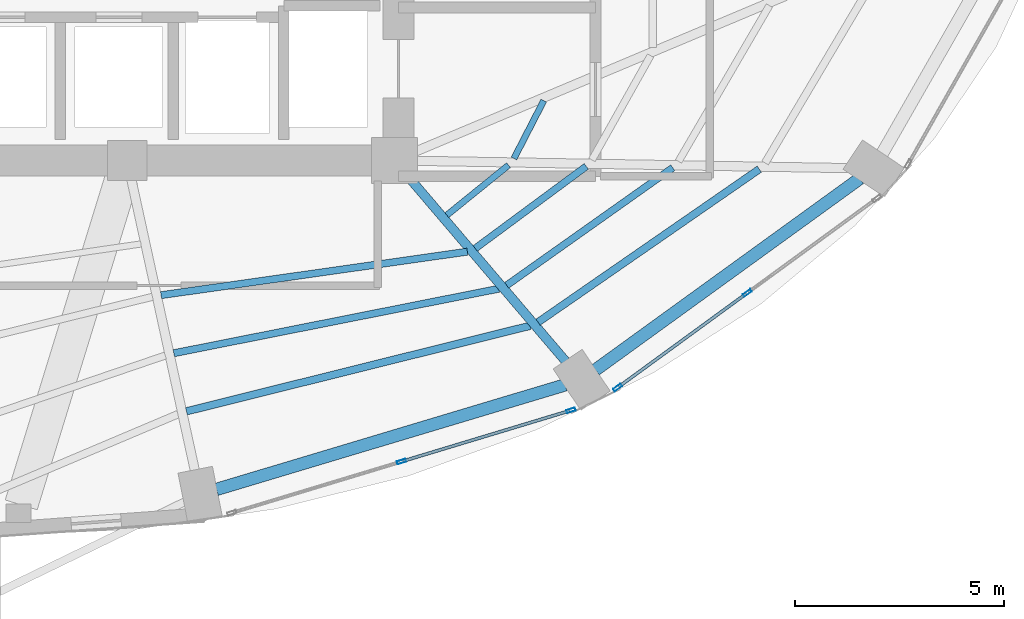
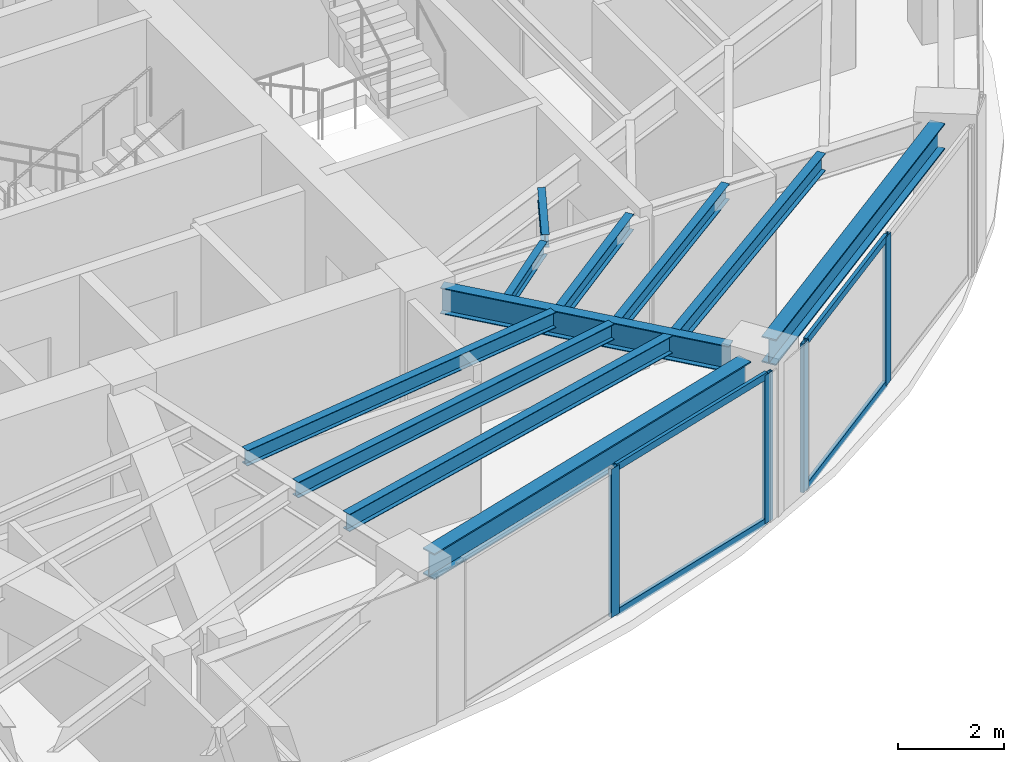
# One storey, part 10 of 23: 11 beams, 8 members, 2 elements without a shape of their own.
"""IFC4 building model written with IfcOpenShell, lengths in metres."""

from ifc_helpers import new_model, si_unit, direction, frame, origin, origin_2d, place, context, subcontext, project, spatial, hollow_rectangle, i_section, extrude, material, layer, layer_set, material_profile, profile_set, type_object, element, aggregate, save


model = new_model("IFC4")

# Units and contexts
model_context = context("Model", 3, precision=1e-05, world=origin(), true_north=direction((0.0, 1.0)))
body_context = subcontext(model_context, "Body", "Model", "MODEL_VIEW")
ifc_project = project(units=[si_unit("LENGTHUNIT", "METRE"), si_unit("AREAUNIT", "SQUARE_METRE"), si_unit("VOLUMEUNIT", "CUBIC_METRE"), si_unit("PLANEANGLEUNIT", "RADIAN"), si_unit("MASSUNIT", "GRAM", prefix="KILO")], contexts=[model_context])

# Site, building, storey
site_placement = place(None, origin())
site = spatial("IfcSite", under=ifc_project, at=site_placement, CompositionType="ELEMENT")
building_placement = place(site_placement, origin())
building = spatial("IfcBuilding", under=site, at=building_placement, Name="Lazwardi Medical Tower", CompositionType="ELEMENT")
storey_placement = place(building_placement, frame((0.0, 0.0, 92.68798828125)))
storey = spatial("IfcBuildingStorey", under=building, at=storey_placement, Name="L23", CompositionType="ELEMENT", Elevation=92.68798828125)

# Beams
ifc_material_1 = material(Name="Steel S355", Category="steel")
ifc_material_profile_1 = material_profile(ifc_material_1, i_section(OverallWidth=0.300048828125, OverallDepth=0.60009765625, WebThickness=0.015380859375, FlangeThickness=0.030029296875, at=origin_2d()), Name="HEB 600")
ifc_profile_set_1 = profile_set([ifc_material_profile_1], Name="Steel S355")
beam_type_1 = type_object("IfcBeamType", Name="BM-RB-Z2", PredefinedType="BEAM", material=ifc_profile_set_1)
beam_1_placement = place(storey_placement, frame((41.338134765625, 12.5205078125, 3.1279296875), z_axis=(0.957879438442, 0.287170648587, 0.0), x_axis=(-0.287170648587, 0.957879438442, 0.0)))
element("IfcBeam", 1, at=beam_1_placement, inside=storey, type_object=beam_type_1, Name="Ring beam RB-03 B01 L23", PredefinedType="BEAM", context=body_context, shape_type="SweptSolid", body=[
    extrude(i_section(OverallWidth=0.300048828125, OverallDepth=0.60009765625, WebThickness=0.015380859375, FlangeThickness=0.030029296875, at=origin_2d()), origin(), (0.0, 0.0, 1.0), 8.719970703125),
])
beam_2_placement = place(storey_placement, frame((50.415771484375, 15.3828125, 3.1279296875), z_axis=(0.810041907649, 0.586371987609, 0.0), x_axis=(-0.586371987609, 0.810041907649, 0.0)))
element("IfcBeam", 2, at=beam_2_placement, inside=storey, type_object=beam_type_1, Name="Ring beam RB-03 B02 L23", PredefinedType="BEAM", context=body_context, shape_type="SweptSolid", body=[
    extrude(i_section(OverallWidth=0.300048828125, OverallDepth=0.60009765625, WebThickness=0.015380859375, FlangeThickness=0.030029296875, at=origin_2d()), origin(), (0.0, 0.0, 1.0), 7.814208984375),
])
ifc_material_profile_2 = material_profile(ifc_material_1, i_section(OverallWidth=0.219970703125, OverallDepth=0.60009765625, WebThickness=0.011962890625, FlangeThickness=0.01904296875, at=origin_2d()), Name="IPE 600")
ifc_profile_set_2 = profile_set([ifc_material_profile_2], Name="Steel S355")
beam_type_2 = type_object("IfcBeamType", Name="BM-RG-W1", PredefinedType="BEAM", material=ifc_profile_set_2)
beam_3_placement = place(storey_placement, frame((49.707275390625, 15.583740234375, 3.1279296875), z_axis=(-0.648870567436, 0.760898801889, 0.0), x_axis=(-0.760898801889, -0.648870567436, 0.0)))
element("IfcBeam", 3, at=beam_3_placement, inside=storey, type_object=beam_type_2, Name="Radial girder RG-02 R02 L23", PredefinedType="BEAM", context=body_context, shape_type="SweptSolid", body=[
    extrude(i_section(OverallWidth=0.219970703125, OverallDepth=0.60009765625, WebThickness=0.011962890625, FlangeThickness=0.01904296875, at=origin_2d()), origin(), (0.0, 0.0, 1.0), 5.794677734375),
])
ifc_material_profile_3 = material_profile(ifc_material_1, i_section(OverallWidth=0.179931640625, OverallDepth=0.39990234375, WebThickness=0.008544921875, FlangeThickness=0.013427734375, at=origin_2d()), Name="IPE 400")
ifc_profile_set_3 = profile_set([ifc_material_profile_3], Name="Steel S355")
beam_type_3 = type_object("IfcBeamType", Name="BM-SJ-01", PredefinedType="JOIST", material=ifc_profile_set_3)
beam_4_placement = place(storey_placement, frame((40.618896484375, 14.390869140625, 3.22802734375), z_axis=(0.970400881943, 0.241499748081, 0.0), x_axis=(-0.241499748081, 0.970400881943, 0.0)))
element("IfcBeam", 4, at=beam_4_placement, inside=storey, type_object=beam_type_3, Name="Secondary joist SJ-01 R1 B01 L23", PredefinedType="JOIST", context=body_context, shape_type="SweptSolid", body=[
    extrude(i_section(OverallWidth=0.179931640625, OverallDepth=0.39990234375, WebThickness=0.008544921875, FlangeThickness=0.013427734375, at=origin_2d()), origin(), (0.0, 0.0, 1.0), 8.48583984375),
])
beam_5_placement = place(storey_placement, frame((49.04150390625, 16.525390625, 3.22802734375), z_axis=(0.822376339068, 0.568943896128, 0.0), x_axis=(-0.568943896128, 0.822376339068, 0.0)))
element("IfcBeam", 5, at=beam_5_placement, inside=storey, type_object=beam_type_3, Name="Secondary joist SJ-01 R1 B02 L23", PredefinedType="JOIST", context=body_context, shape_type="SweptSolid", body=[
    extrude(i_section(OverallWidth=0.179931640625, OverallDepth=0.39990234375, WebThickness=0.008544921875, FlangeThickness=0.013427734375, at=origin_2d()), origin(), (0.0, 0.0, 1.0), 6.44189453125),
])
ifc_material_profile_4 = material_profile(ifc_material_1, i_section(OverallWidth=0.169921875, OverallDepth=0.360107421875, WebThickness=0.008056640625, FlangeThickness=0.0126953125, at=origin_2d()), Name="IPE 360")
ifc_profile_set_4 = profile_set([ifc_material_profile_4], Name="Steel S355")
beam_type_4 = type_object("IfcBeamType", Name="BM-SJ-02", PredefinedType="JOIST", material=ifc_profile_set_4)
beam_6_placement = place(storey_placement, frame((40.315185546875, 15.7822265625, 3.248046875), z_axis=(0.980878853282, 0.194619308352, 0.0), x_axis=(-0.194619308352, 0.980878853282, 0.0)))
element("IfcBeam", 6, at=beam_6_placement, inside=storey, type_object=beam_type_4, Name="Secondary joist SJ-02 R2 B01 L23", PredefinedType="JOIST", context=body_context, shape_type="SweptSolid", body=[
    extrude(i_section(OverallWidth=0.169921875, OverallDepth=0.360107421875, WebThickness=0.008056640625, FlangeThickness=0.0126953125, at=origin_2d()), origin(), (0.0, 0.0, 1.0), 7.93701171875),
])
beam_7_placement = place(storey_placement, frame((48.2890625, 17.408203125, 3.248046875), z_axis=(0.816156371539, 0.577831097464, 0.0), x_axis=(-0.577831097464, 0.816156371539, 0.0)))
element("IfcBeam", 7, at=beam_7_placement, inside=storey, type_object=beam_type_4, Name="Secondary joist SJ-02 R2 B02 L23", PredefinedType="JOIST", context=body_context, shape_type="SweptSolid", body=[
    extrude(i_section(OverallWidth=0.169921875, OverallDepth=0.360107421875, WebThickness=0.008056640625, FlangeThickness=0.0126953125, at=origin_2d()), origin(), (0.0, 0.0, 1.0), 4.8740234375),
])
beam_8_placement = place(storey_placement, frame((40.011474609375, 17.1728515625, 3.248046875), z_axis=(0.990067108571, 0.140595592128, 0.0), x_axis=(-0.140595592128, 0.990067108571, 0.0)))
element("IfcBeam", 8, at=beam_8_placement, inside=storey, type_object=beam_type_4, Name="Secondary joist SJ-02 R3 B01 L23", PredefinedType="JOIST", context=body_context, shape_type="SweptSolid", body=[
    extrude(i_section(OverallWidth=0.169921875, OverallDepth=0.360107421875, WebThickness=0.008056640625, FlangeThickness=0.0126953125, at=origin_2d()), origin(), (0.0, 0.0, 1.0), 7.409423828125),
])
beam_9_placement = place(storey_placement, frame((47.53564453125, 18.291748046875, 3.248046875), z_axis=(0.804125525058, 0.594459536008, 0.0), x_axis=(-0.594459536008, 0.804125525058, 0.0)))
element("IfcBeam", 9, at=beam_9_placement, inside=storey, type_object=beam_type_4, Name="Secondary joist SJ-02 R3 B02 L23", PredefinedType="JOIST", context=body_context, shape_type="SweptSolid", body=[
    extrude(i_section(OverallWidth=0.169921875, OverallDepth=0.360107421875, WebThickness=0.008056640625, FlangeThickness=0.0126953125, at=origin_2d()), origin(), (0.0, 0.0, 1.0), 3.30810546875),
])
ifc_material_profile_5 = material_profile(ifc_material_1, i_section(OverallWidth=0.14990234375, OverallDepth=0.300048828125, WebThickness=0.007080078125, FlangeThickness=0.0107421875, at=origin_2d()), Name="IPE 300")
ifc_profile_set_5 = profile_set([ifc_material_profile_5], Name="Steel S355")
beam_type_5 = type_object("IfcBeamType", Name="BM-SJ-03", PredefinedType="JOIST", material=ifc_profile_set_5)
beam_10_placement = place(storey_placement, frame((46.85595703125, 19.089111328125, 3.278076171875), z_axis=(0.77695773322, 0.629552762515, 0.0), x_axis=(-0.629552762515, 0.77695773322, 0.0)))
element("IfcBeam", 10, at=beam_10_placement, inside=storey, type_object=beam_type_5, Name="Secondary joist SJ-03 R4 B02 L23", PredefinedType="JOIST", context=body_context, shape_type="SweptSolid", body=[
    extrude(i_section(OverallWidth=0.14990234375, OverallDepth=0.300048828125, WebThickness=0.007080078125, FlangeThickness=0.0107421875, at=origin_2d()), origin(), (0.0, 0.0, 1.0), 1.9013671875),
])
beam_11_placement = place(storey_placement, frame((48.462890625, 20.445556640625, 3.278076171875), z_axis=(0.457956589674, 0.888974556427, 0.0), x_axis=(-0.888974556427, 0.457956589674, 0.0)))
element("IfcBeam", 11, at=beam_11_placement, inside=storey, type_object=beam_type_5, Name="Secondary joist SJ-03 R4 B03 L23", PredefinedType="JOIST", context=body_context, shape_type="SweptSolid", body=[
    extrude(i_section(OverallWidth=0.14990234375, OverallDepth=0.300048828125, WebThickness=0.007080078125, FlangeThickness=0.0107421875, at=origin_2d()), origin(), (0.0, 0.0, 1.0), 1.558837890625),
])

# Curtain wall, members
ifc_material_2 = material(Name="Anodised bronze aluminium and solar control glazing", Category="aluminium")
ifc_layer = layer(ifc_material_2, 0.195068359375)
ifc_layer_set = layer_set([ifc_layer], Name="Anodised bronze aluminium and solar control glazing")
curtain_wall_type = type_object("IfcCurtainWallType", Name="CW-SYS-03", PredefinedType="NOTDEFINED", material=ifc_layer_set)
curtain_wall_1_placement = place(storey_placement, origin())
curtain_wall_1 = element("IfcCurtainWall", 12, at=curtain_wall_1_placement, inside=storey, type_object=curtain_wall_type, Name="L23 Unitised bronze curtain wall CW-03", PredefinedType="NOTDEFINED")
ifc_material_3 = material(Name="Anodised bronze aluminium", Category="aluminium")
ifc_material_profile_6 = material_profile(ifc_material_3, hollow_rectangle(XDim=0.074951171875, YDim=0.219970703125, WallThickness=0.00390625, at=origin_2d()), Name="ALU-MULLION 220x75x4")
ifc_profile_set_6 = profile_set([ifc_material_profile_6], Name="Anodised bronze aluminium")
member_type_1 = type_object("IfcMemberType", Name="CW-MUL-01", PredefinedType="MULLION", material=ifc_profile_set_6)
member_1_placement = place(storey_placement, frame((45.769287109375, 13.18701171875, 0.0), z_axis=(0.0, 0.0, 1.0), x_axis=(-0.28937381157, 0.957216170558, 0.0)))
member_1 = element("IfcMember", 13, at=member_1_placement, type_object=member_type_1, Name="CW-03 mullion 2", PredefinedType="MULLION", context=body_context, shape_type="SweptSolid", body=[
    extrude(hollow_rectangle(XDim=0.074951171875, YDim=0.219970703125, WallThickness=0.00390625, at=origin_2d()), origin(), (0.0, 0.0, 1.0), 3.427978515625),
])
member_2_placement = place(storey_placement, frame((49.828369140625, 14.4140625, 0.0), z_axis=(0.0, 0.0, 1.0), x_axis=(-0.28937381157, 0.957216170558, 0.0)))
member_2 = element("IfcMember", 14, at=member_2_placement, type_object=member_type_1, Name="CW-03 mullion 3", PredefinedType="MULLION", context=body_context, shape_type="SweptSolid", body=[
    extrude(hollow_rectangle(XDim=0.074951171875, YDim=0.219970703125, WallThickness=0.00390625, at=origin_2d()), origin(), (0.0, 0.0, 1.0), 3.427978515625),
])

curtain_wall_2_placement = place(storey_placement, origin())
curtain_wall_2 = element("IfcCurtainWall", 15, at=curtain_wall_2_placement, inside=storey, type_object=curtain_wall_type, Name="L23 Unitised bronze curtain wall CW-03", PredefinedType="NOTDEFINED")
member_3_placement = place(storey_placement, frame((50.947265625, 14.96044921875, 0.0), z_axis=(0.0, 0.0, 1.0), x_axis=(-0.589530882802, 0.807745837639, 0.0)))
member_3 = element("IfcMember", 16, at=member_3_placement, type_object=member_type_1, Name="CW-03 mullion 1", PredefinedType="MULLION", context=body_context, shape_type="SweptSolid", body=[
    extrude(hollow_rectangle(XDim=0.074951171875, YDim=0.219970703125, WallThickness=0.00390625, at=origin_2d()), origin(), (0.0, 0.0, 1.0), 3.427978515625),
])
member_4_placement = place(storey_placement, frame((54.051025390625, 17.225830078125, 0.0), z_axis=(0.0, 0.0, 1.0), x_axis=(-0.589530882802, 0.807745837639, 0.0)))
member_4 = element("IfcMember", 17, at=member_4_placement, type_object=member_type_1, Name="CW-03 mullion 2", PredefinedType="MULLION", context=body_context, shape_type="SweptSolid", body=[
    extrude(hollow_rectangle(XDim=0.074951171875, YDim=0.219970703125, WallThickness=0.00390625, at=origin_2d()), origin(), (0.0, 0.0, 1.0), 3.427978515625),
])

# Member
ifc_material_profile_7 = material_profile(ifc_material_3, hollow_rectangle(XDim=0.074951171875, YDim=0.159912109375, WallThickness=0.00390625, at=origin_2d()), Name="ALU-TRANSOM 160x75x4")
ifc_profile_set_7 = profile_set([ifc_material_profile_7], Name="Anodised bronze aluminium")
member_type_2 = type_object("IfcMemberType", Name="CW-TRN-01", PredefinedType="USERDEFINED", material=ifc_profile_set_7)
member_5_placement = place(storey_placement, frame((45.80517578125, 13.19775390625, 0.03759765625), z_axis=(0.957220865985, 0.289358279168, 0.0), x_axis=(-0.289358279168, 0.957220865985, 0.0)))
member_5 = element("IfcMember", 18, at=member_5_placement, type_object=member_type_2, Name="CW-03 transom 2.1", ObjectType="TRANSOM", PredefinedType="USERDEFINED", context=body_context, shape_type="SweptSolid", body=[
    extrude(hollow_rectangle(XDim=0.074951171875, YDim=0.159912109375, WallThickness=0.00390625, at=origin_2d()), origin(), (0.0, 0.0, 1.0), 4.16552734375),
])

member_6_placement = place(storey_placement, frame((45.80517578125, 13.19775390625, 3.390625), z_axis=(0.957220865985, 0.289358279168, 0.0), x_axis=(-0.289358279168, 0.957220865985, 0.0)))
member_6 = element("IfcMember", 19, at=member_6_placement, type_object=member_type_2, Name="CW-03 transom 2.2", ObjectType="TRANSOM", PredefinedType="USERDEFINED", context=body_context, shape_type="SweptSolid", body=[
    extrude(hollow_rectangle(XDim=0.074951171875, YDim=0.159912109375, WallThickness=0.00390625, at=origin_2d()), origin(), (0.0, 0.0, 1.0), 4.16552734375),
])

aggregate(curtain_wall_1, [member_1, member_2, member_5, member_6])

member_7_placement = place(storey_placement, frame((50.9775390625, 14.982421875, 0.03759765625), z_axis=(0.807731734271, 0.589550206049, 0.0), x_axis=(-0.589550206049, 0.807731734271, 0.0)))
member_7 = element("IfcMember", 20, at=member_7_placement, type_object=member_type_2, Name="CW-03 transom 1.1", ObjectType="TRANSOM", PredefinedType="USERDEFINED", context=body_context, shape_type="SweptSolid", body=[
    extrude(hollow_rectangle(XDim=0.074951171875, YDim=0.159912109375, WallThickness=0.00390625, at=origin_2d()), origin(), (0.0, 0.0, 1.0), 3.767578125),
])

member_8_placement = place(storey_placement, frame((50.9775390625, 14.982421875, 3.390625), z_axis=(0.807731734271, 0.589550206049, 0.0), x_axis=(-0.589550206049, 0.807731734271, 0.0)))
member_8 = element("IfcMember", 21, at=member_8_placement, type_object=member_type_2, Name="CW-03 transom 1.2", ObjectType="TRANSOM", PredefinedType="USERDEFINED", context=body_context, shape_type="SweptSolid", body=[
    extrude(hollow_rectangle(XDim=0.074951171875, YDim=0.159912109375, WallThickness=0.00390625, at=origin_2d()), origin(), (0.0, 0.0, 1.0), 3.767578125),
])

aggregate(curtain_wall_2, [member_3, member_4, member_7, member_8])

save(model, "model.ifc")
